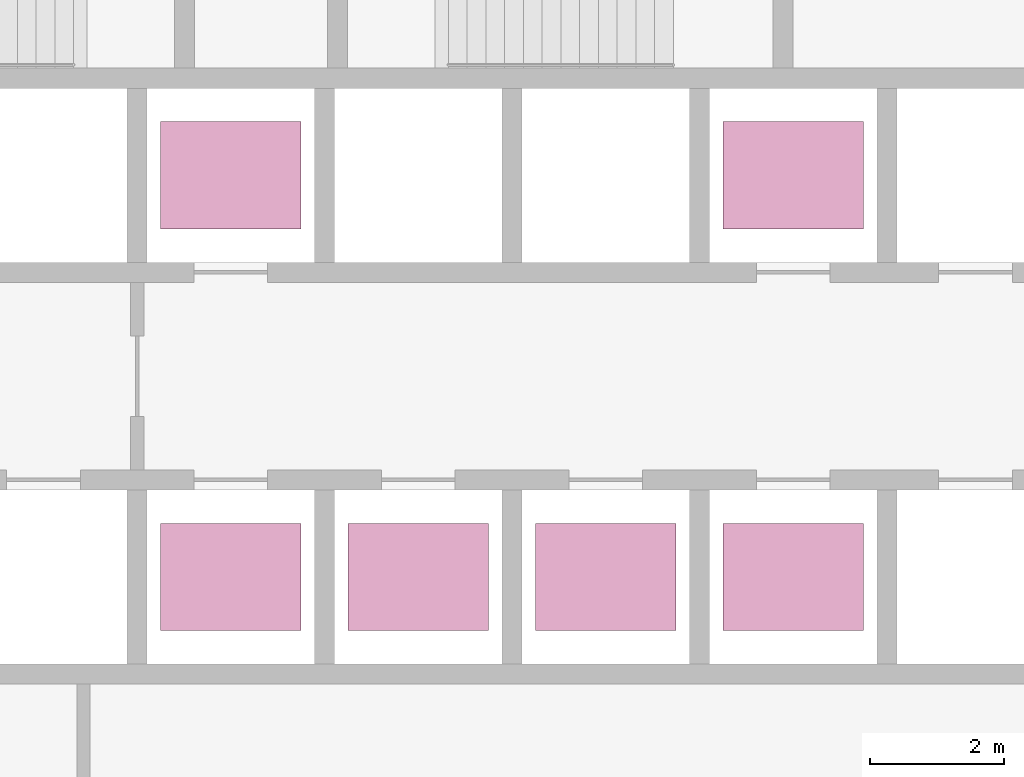
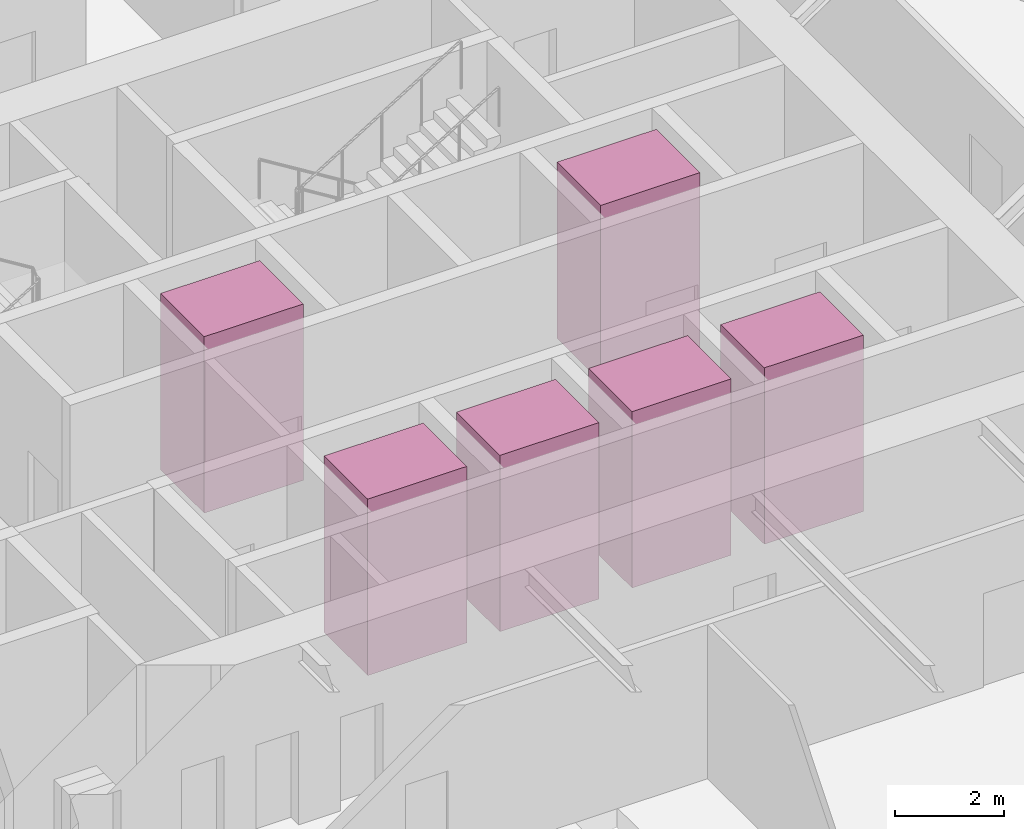
# One storey, part 11 of 11: 6 transport elements.
"""IFC4 building model written with IfcOpenShell, lengths in metres."""

from ifc_helpers import new_model, si_unit, direction, frame, origin, origin_2d, place, context, subcontext, project, spatial, rectangle, extrude, material, type_object, element, save


model = new_model("IFC4")

# Units and contexts
model_context = context("Model", 3, precision=1e-05, world=origin(), true_north=direction((0.0, 1.0)))
body_context = subcontext(model_context, "Body", "Model", "MODEL_VIEW")
ifc_project = project(units=[si_unit("LENGTHUNIT", "METRE"), si_unit("AREAUNIT", "SQUARE_METRE"), si_unit("VOLUMEUNIT", "CUBIC_METRE"), si_unit("PLANEANGLEUNIT", "RADIAN"), si_unit("MASSUNIT", "GRAM", prefix="KILO")], contexts=[model_context])

# Site, building, storey
site_placement = place(None, origin())
site = spatial("IfcSite", under=ifc_project, at=site_placement, CompositionType="ELEMENT")
building_placement = place(site_placement, origin())
building = spatial("IfcBuilding", under=site, at=building_placement, Name="Firuza Gate Tower and Library", CompositionType="ELEMENT")
storey_placement = place(building_placement, frame((0.0, 0.0, 31.0)))
storey = spatial("IfcBuildingStorey", under=building, at=storey_placement, Name="L06", CompositionType="ELEMENT", Elevation=31.0)

# Transport elements
ifc_material = material(Name="Stainless steel and glass", Category="steel")
transport_element_type = type_object("IfcTransportElementType", Name="Low-rise lift car 2100x1600", PredefinedType="ELEVATOR", material=ifc_material)
for number, where, z_axis, x_axis, name in (
    (1, (74.64990234375, 70.300048828125, 0.0), (0.0, 0.0, 1.0), (1.0, 0.0, 0.0), "Low-rise lift LR1"),
    (2, (77.449951171875, 70.300048828125, 0.0), (0.0, 0.0, 1.0), (1.0, 0.0, 0.0), "Low-rise lift LR2"),
    (3, (80.25, 70.300048828125, 0.0), (0.0, 0.0, 1.0), (1.0, 0.0, 0.0), "Low-rise lift LR3"),
    (4, (74.64990234375, 76.300048828125, 0.0), (0.0, 0.0, 1.0), (1.0, 0.0, 0.0), "Low-rise lift LR4"),
    (5, (83.050048828125, 70.300048828125, 0.0), (0.0, 0.0, 1.0), (1.0, 0.0, 0.0), "Low-rise lift LR5"),
    (6, (83.050048828125, 76.300048828125, 0.0), (0.0, 0.0, 1.0), (1.0, 0.0, 0.0), "Low-rise lift LR6"),
):
    element("IfcTransportElement", number, at=place(storey_placement, frame(where, z_axis=z_axis, x_axis=x_axis)), inside=storey, type_object=transport_element_type, Name=name, PredefinedType="ELEVATOR", context=body_context, shape_type="SweptSolid", body=[
        extrude(rectangle(XDim=2.10009765625, YDim=1.60009765625, at=origin_2d()), origin(), (0.0, 0.0, 1.0), 3.949951171875),
    ])

save(model, "model.ifc")
